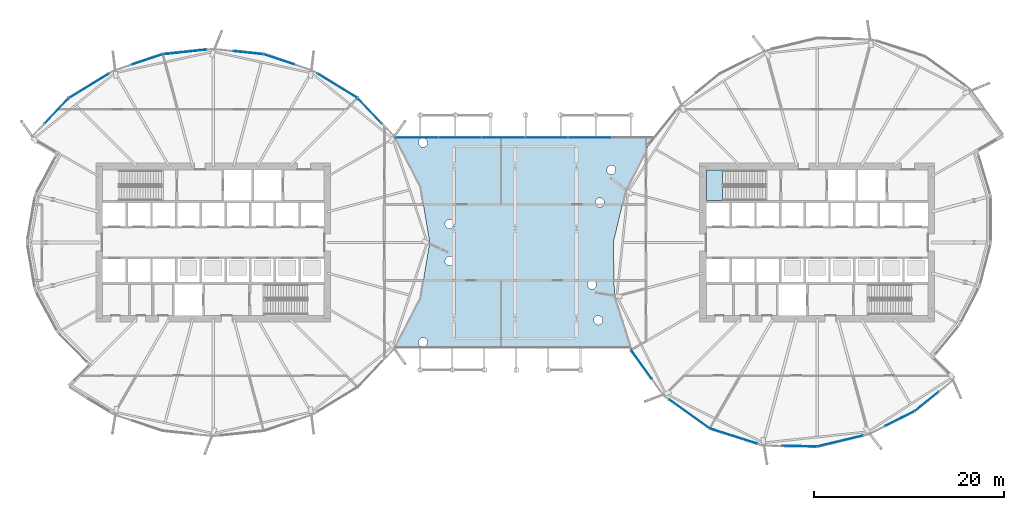
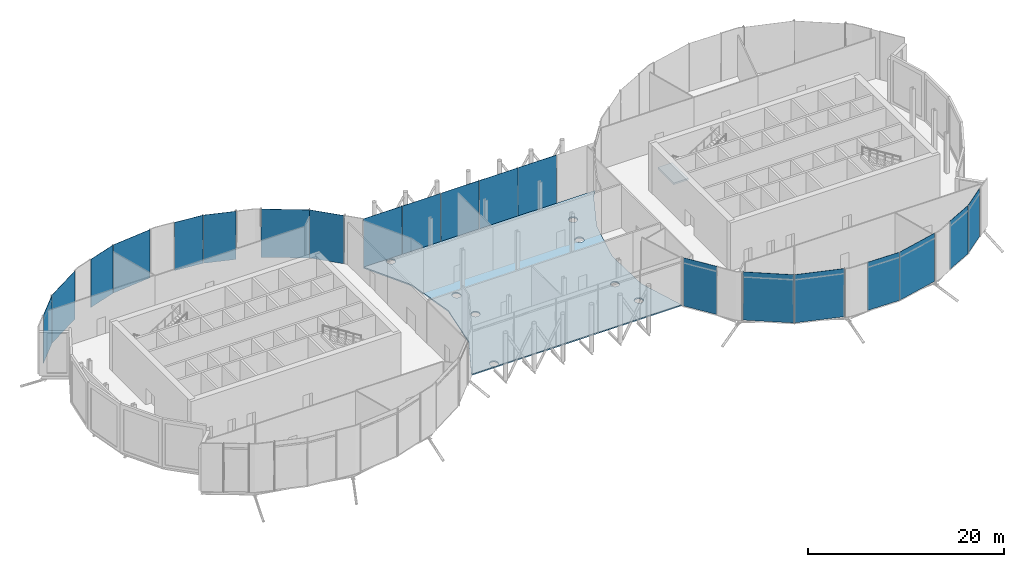
# One storey, part 17 of 38: 20 plates, 2 slabs, 4 elements without a shape of their own.
"""IFC4 building model written with IfcOpenShell, lengths in metres."""

import ifcopenshell
import ifcopenshell.guid

model = None  # the IFC model being written
_history = None  # IfcOwnerHistory: only IFC2X3 demands one
_inside = {}  # id of a spatial element -> (the spatial element, [elements in it])
_under = {}  # id of a project, library or spatial element -> (it, [spatial elements below it])
_declared = {}  # id of a project -> (the project, [libraries it declares])
_typed = {}  # id of a type object -> (the type object, [elements of that type])
_made_of = {}  # id of a material, layer set ... -> (it, [elements and type objects made of it])


def new_model(schema):
    """Start an empty IFC model of exactly this schema.

    Asked for "IFC4X3", IfcOpenShell would pick the latest addendum, in which some entities
    have other attributes; the version numbers below select the first issue.
    IFC2X3 requires an IfcOwnerHistory on every rooted entity: one is made here for all.
    """
    global model, _history
    if schema == "IFC4X3":
        model = ifcopenshell.file(schema_version=(4, 3, 0, 0))
    else:
        model = ifcopenshell.file(schema=schema)
    _inside.clear()
    _under.clear()
    _declared.clear()
    _typed.clear()
    _made_of.clear()
    _history = None
    if model.schema == "IFC2X3":
        org = make("IfcOrganization", Name="unknown")
        user = make(
            "IfcPersonAndOrganization",
            ThePerson=make("IfcPerson", FamilyName="unknown"),
            TheOrganization=org,
        )
        app = make(
            "IfcApplication",
            ApplicationDeveloper=org,
            Version="unknown",
            ApplicationFullName="unknown",
            ApplicationIdentifier="unknown",
        )
        _history = make(
            "IfcOwnerHistory",
            OwningUser=user,
            OwningApplication=app,
            ChangeAction="ADDED",
            CreationDate=0,
        )
    return model


def make(cls, **values):
    """One entity of the class cls with the attributes given. An attribute that is None is left unset."""
    return model.create_entity(
        cls, **{name: value for name, value in values.items() if value is not None}
    )


def rooted(cls, **values):
    """An entity with a GlobalId (a new one), such as an element, a storey or a relation."""
    return make(cls, GlobalId=ifcopenshell.guid.new(), OwnerHistory=_history, **values)


def si_unit(unit_type, name, prefix=None):
    """IfcSIUnit, for example si_unit("LENGTHUNIT", "METRE", prefix="MILLI")."""
    return make("IfcSIUnit", UnitType=unit_type, Prefix=prefix, Name=name)


def assignment(units):
    """IfcUnitAssignment: the units of a project."""
    return None if units is None else make("IfcUnitAssignment", Units=units)


def point(xyz):
    """IfcCartesianPoint."""
    return None if xyz is None else make("IfcCartesianPoint", Coordinates=xyz)


def direction(xyz):
    """IfcDirection."""
    return None if xyz is None else make("IfcDirection", DirectionRatios=xyz)


def frame(location, z_axis=None, x_axis=None):
    """IfcAxis2Placement3D, a coordinate frame: its origin and axes. An axis left out is left unset."""
    return make(
        "IfcAxis2Placement3D",
        Location=point(location),
        Axis=direction(z_axis),
        RefDirection=direction(x_axis),
    )


def frame_2d(location, x_axis=None):
    """IfcAxis2Placement2D, a coordinate frame in the plane: its origin and x axis."""
    return make(
        "IfcAxis2Placement2D", Location=point(location), RefDirection=direction(x_axis)
    )


def origin():
    """The frame at (0, 0, 0) with its axes left unset."""
    return frame((0.0, 0.0, 0.0))


def origin_2d():
    """The frame at (0, 0) in the plane with its x axis left unset."""
    return frame_2d((0.0, 0.0))


def place(relative_to, where):
    """IfcLocalPlacement: puts the frame where relative to a parent placement (None: the world)."""
    return make(
        "IfcLocalPlacement", PlacementRelTo=relative_to, RelativePlacement=where
    )


def context(
    kind, dimensions, precision=None, world=None, true_north=None, identifier=None
):
    """IfcGeometricRepresentationContext, for example the 3D "Model" context."""
    return make(
        "IfcGeometricRepresentationContext",
        ContextIdentifier=identifier,
        ContextType=kind,
        CoordinateSpaceDimension=dimensions,
        Precision=precision,
        WorldCoordinateSystem=world,
        TrueNorth=true_north,
    )


def subcontext(parent, identifier, kind, view, scale=None):
    """IfcGeometricRepresentationSubContext, for example "Body" below "Model"."""
    return make(
        "IfcGeometricRepresentationSubContext",
        ContextIdentifier=identifier,
        ContextType=kind,
        ParentContext=parent,
        TargetScale=scale,
        TargetView=view,
    )


def project(units=None, contexts=None):
    """IfcProject with its units and contexts."""
    return rooted(
        "IfcProject",
        Name="project",
        RepresentationContexts=contexts,
        UnitsInContext=assignment(units),
    )


def spatial(cls, under=None, at=None, **own):
    """A site, building, storey or space (cls), placed at a placement, below another one or the project."""
    s = rooted(cls, ObjectPlacement=at, **own)
    if under is not None:
        _under.setdefault(under.id(), (under, []))[1].append(s)
    return s


def polyline(points):
    """IfcPolyline through the points."""
    return make("IfcPolyline", Points=[point(p) for p in points])


def profile(cls, at=None, kind="AREA", **sizes):
    """A parametric profile (cls). Its sizes go by their IFC names, for example OverallWidth=200.0."""
    return make(cls, ProfileType=kind, Position=at, **sizes)


def rectangle(**sizes):
    """IfcRectangleProfileDef."""
    return profile("IfcRectangleProfileDef", **sizes)


def outline(outer, holes=None, kind="AREA"):
    """IfcArbitraryClosedProfileDef: a profile drawn as a closed curve; with holes, ...WithVoids."""
    if holes is None:
        return make("IfcArbitraryClosedProfileDef", ProfileType=kind, OuterCurve=outer)
    return make(
        "IfcArbitraryProfileDefWithVoids",
        ProfileType=kind,
        OuterCurve=outer,
        InnerCurves=holes,
    )


def extrude(swept, where, along, depth):
    """IfcExtrudedAreaSolid: the profile swept, set in the frame where, extruded along a direction by depth."""
    return make(
        "IfcExtrudedAreaSolid",
        SweptArea=swept,
        Position=where,
        ExtrudedDirection=direction(along),
        Depth=depth,
    )


def shape(context_of_items, identifier, shape_type, items):
    """IfcShapeRepresentation: the items that make up one representation, for example the "Body"."""
    return make(
        "IfcShapeRepresentation",
        ContextOfItems=context_of_items,
        RepresentationIdentifier=identifier,
        RepresentationType=shape_type,
        Items=items,
    )


def material(Name=None, Category=None):
    """IfcMaterial."""
    return make("IfcMaterial", Name=Name, Category=Category)


def layer(
    of_material, thickness, ventilated=None, Name=None, Category=None, Priority=None
):
    """IfcMaterialLayer: one layer of a wall or slab, of a material (None: an air gap)."""
    return make(
        "IfcMaterialLayer",
        Material=of_material,
        LayerThickness=thickness,
        IsVentilated=ventilated,
        Name=Name,
        Category=Category,
        Priority=Priority,
    )


def layer_set(layers, Name=None):
    """IfcMaterialLayerSet."""
    return make("IfcMaterialLayerSet", MaterialLayers=layers, LayerSetName=Name)


def made_of(thing, what):
    """Note that an element or type object is made of a material, layer set ...; save() writes the relation."""
    if what is not None:
        _made_of.setdefault(what.id(), (what, []))[1].append(thing)
    return thing


def type_object(cls, material=None, **own):
    """A type object (cls), such as IfcWallType, which elements share."""
    return made_of(rooted(cls, **own), material)


def element(
    cls,
    number,
    at=None,
    inside=None,
    cuts=None,
    type_object=None,
    material=None,
    context=None,
    identifier="Body",
    shape_type=None,
    held_by="IfcProductDefinitionShape",
    body=None,
    shapes=None,
    **own,
):
    """One element of the class cls, such as IfcWall. Its Tag is "e" and its number.

    at: its placement. inside: the storey or other place that contains it. cuts: it is an
    opening in that element (IfcRelVoidsElement). A single representation is given by context,
    identifier, shape_type and body (its items); several are given by shapes. held_by: the class
    of the entity that holds the representations. save() writes the other relations.
    """
    e = rooted(cls, Tag="e%d" % number, ObjectPlacement=at, **own)
    if body is not None:
        shapes = [shape(context, identifier, shape_type, body)]
    if shapes is not None:
        e.Representation = make(held_by, Representations=shapes)
    if inside is not None:
        _inside.setdefault(inside.id(), (inside, []))[1].append(e)
    if cuts is not None:
        rooted(
            "IfcRelVoidsElement", RelatingBuildingElement=cuts, RelatedOpeningElement=e
        )
    if type_object is not None:
        _typed.setdefault(type_object.id(), (type_object, []))[1].append(e)
    return made_of(e, material)


def aggregate(whole, parts):
    """IfcRelAggregates: a whole, such as a stair, and the parts it consists of."""
    return rooted("IfcRelAggregates", RelatingObject=whole, RelatedObjects=parts)


def save(model, path):
    """Write the relations noted so far, then the file.

    IfcRelAggregates (storeys below a building ...), IfcRelContainedInSpatialStructure (elements
    in a storey), IfcRelDefinesByType, IfcRelAssociatesMaterial and IfcRelDeclares: one each for
    every whole, place, type object, material and project.
    """
    for whole, parts in _under.values():
        aggregate(whole, parts)
    for where, things in _inside.values():
        rooted(
            "IfcRelContainedInSpatialStructure",
            RelatedElements=things,
            RelatingStructure=where,
        )
    for kind, things in _typed.values():
        rooted("IfcRelDefinesByType", RelatedObjects=things, RelatingType=kind)
    for what, things in _made_of.values():
        rooted("IfcRelAssociatesMaterial", RelatedObjects=things, RelatingMaterial=what)
    for by, libraries in _declared.values():
        rooted("IfcRelDeclares", RelatingContext=by, RelatedDefinitions=libraries)
    model.write(path)


model = new_model("IFC4")

# Units and contexts
model_context = context("Model", 3, precision=1e-05, world=origin(), true_north=direction((0.0, 1.0)))
body_context = subcontext(model_context, "Body", "Model", "MODEL_VIEW")
ifc_project = project(units=[si_unit("LENGTHUNIT", "METRE"), si_unit("AREAUNIT", "SQUARE_METRE"), si_unit("VOLUMEUNIT", "CUBIC_METRE"), si_unit("PLANEANGLEUNIT", "RADIAN"), si_unit("MASSUNIT", "GRAM", prefix="KILO")], contexts=[model_context])

# Site, building, storey
site_placement = place(None, origin())
site = spatial("IfcSite", under=ifc_project, at=site_placement, CompositionType="ELEMENT")
building_placement = place(site_placement, origin())
building = spatial("IfcBuilding", under=site, at=building_placement, Name="Rimbun Link Towers", CompositionType="ELEMENT")
storey_placement = place(building_placement, frame((0.0, 0.0, 133.199951171875)))
storey = spatial("IfcBuildingStorey", under=building, at=storey_placement, Name="L32", CompositionType="ELEMENT", Elevation=133.199951171875)

# Curtain wall, plate
ifc_material_1 = material(Name="Aluminium 6063-T6 and low-iron glass", Category="aluminium")
curtain_wall_type = type_object("IfcCurtainWallType", Name="CW5 full height lobby wall", PredefinedType="NOTDEFINED", material=ifc_material_1)
curtain_wall_1_placement = place(storey_placement, origin())
curtain_wall_1 = element("IfcCurtainWall", 1, at=curtain_wall_1_placement, inside=storey, type_object=curtain_wall_type, Name="CW5 L32 LB", PredefinedType="NOTDEFINED")
ifc_material_2 = material(Name="Aluminium cladding, insulated panel", Category="aluminium")
ifc_layer_1 = layer(ifc_material_2, 0.031982421875)
ifc_layer_set_1 = layer_set([ifc_layer_1], Name="CW5 insulated panel Aluminium cladding 32")
plate_type_1 = type_object("IfcPlateType", Name="CW5 insulated panel Aluminium cladding 32", PredefinedType="CURTAIN_PANEL", material=ifc_layer_set_1)
plate_1_placement = place(storey_placement, frame((-10.35302734375, 11.01611328125, 0.0), z_axis=(0.0, 0.0, 1.0), x_axis=(1.0, 0.0, 0.0)))
plate_1 = element("IfcPlate", 2, at=plate_1_placement, type_object=plate_type_1, Name="CW5 insulated panel", PredefinedType="CURTAIN_PANEL", context=body_context, shape_type="SweptSolid", body=[
    extrude(rectangle(XDim=4.508056640625, YDim=0.031982421875, at=origin_2d()), origin(), (0.0, 0.0, 1.0), 6.0),
])

# Curtain wall, plates
curtain_wall_2_placement = place(storey_placement, origin())
curtain_wall_2 = element("IfcCurtainWall", 3, at=curtain_wall_2_placement, inside=storey, type_object=curtain_wall_type, Name="CW5 L32 T1", PredefinedType="NOTDEFINED")
ifc_material_3 = material(Name="Low-iron glass, laminated low-e unit", Category="glass")
ifc_layer_2 = layer(ifc_material_3, 0.031982421875)
ifc_layer_set_2 = layer_set([ifc_layer_2], Name="CW5 panel Low-iron glass 32")
plate_type_2 = type_object("IfcPlateType", Name="CW5 panel Low-iron glass 32", PredefinedType="CURTAIN_PANEL", material=ifc_layer_set_2)
plate_2_placement = place(storey_placement, frame((-15.300048828125, 13.82568359375, 0.0), z_axis=(0.0, 0.0, 1.0), x_axis=(0.692041109252, -0.721858090698, 0.0)))
plate_2 = element("IfcPlate", 4, at=plate_2_placement, type_object=plate_type_2, Name="CW5 panel", PredefinedType="CURTAIN_PANEL", context=body_context, shape_type="SweptSolid", body=[
    extrude(rectangle(XDim=3.671630859375, YDim=0.031982421875, at=origin_2d()), origin(), (0.0, 0.0, 1.0), 6.0),
])
plate_3_placement = place(storey_placement, frame((-18.696044921875, 16.46240234375, 0.0), z_axis=(0.0, 0.0, 1.0), x_axis=(0.852194346217, -0.523225378089, 0.0)))
plate_3 = element("IfcPlate", 5, at=plate_3_placement, type_object=plate_type_2, Name="CW5 panel", PredefinedType="CURTAIN_PANEL", context=body_context, shape_type="SweptSolid", body=[
    extrude(rectangle(XDim=4.908935546875, YDim=0.031982421875, at=origin_2d()), origin(), (0.0, 0.0, 1.0), 6.0),
])
plate_4_placement = place(storey_placement, frame((-24.810791015625, 19.229736328125, 0.0), z_axis=(0.0, 0.0, 1.0), x_axis=(0.949234953763, -0.314567961741, 0.0)))
plate_4 = element("IfcPlate", 6, at=plate_4_placement, type_object=plate_type_2, Name="CW5 panel", PredefinedType="CURTAIN_PANEL", context=body_context, shape_type="SweptSolid", body=[
    extrude(rectangle(XDim=3.415771484375, YDim=0.031982421875, at=origin_2d()), origin(), (0.0, 0.0, 1.0), 6.0),
])
plate_5_placement = place(storey_placement, frame((-28.05712890625, 19.942626953125, 0.0), z_axis=(0.0, 0.0, 1.0), x_axis=(0.994499069305, -0.104745411125, 0.0)))
plate_5 = element("IfcPlate", 7, at=plate_5_placement, type_object=plate_type_2, Name="CW5 panel", PredefinedType="CURTAIN_PANEL", context=body_context, shape_type="SweptSolid", body=[
    extrude(rectangle(XDim=3.183349609375, YDim=0.031982421875, at=origin_2d()), origin(), (0.0, 0.0, 1.0), 6.0),
])
plate_6_placement = place(storey_placement, frame((-34.721923828125, 20.0185546875, 0.0), z_axis=(0.0, 0.0, 1.0), x_axis=(0.994499069305, 0.104745411125, 0.0)))
plate_6 = element("IfcPlate", 8, at=plate_6_placement, type_object=plate_type_2, Name="CW5 panel", PredefinedType="CURTAIN_PANEL", context=body_context, shape_type="SweptSolid", body=[
    extrude(rectangle(XDim=4.63330078125, YDim=0.031982421875, at=origin_2d()), origin(), (0.0, 0.0, 1.0), 6.0),
])
plate_7_placement = place(storey_placement, frame((-38.689208984375, 19.229736328125, 0.0), z_axis=(0.0, 0.0, 1.0), x_axis=(0.949234953763, 0.314567961741, 0.0)))
plate_7 = element("IfcPlate", 9, at=plate_7_placement, type_object=plate_type_2, Name="CW5 panel", PredefinedType="CURTAIN_PANEL", context=body_context, shape_type="SweptSolid", body=[
    extrude(rectangle(XDim=3.415771484375, YDim=0.031982421875, at=origin_2d()), origin(), (0.0, 0.0, 1.0), 6.0),
])
plate_8_placement = place(storey_placement, frame((-44.803955078125, 16.46240234375, 0.0), z_axis=(0.0, 0.0, 1.0), x_axis=(0.852194346217, 0.523225378089, 0.0)))
plate_8 = element("IfcPlate", 10, at=plate_8_placement, type_object=plate_type_2, Name="CW5 panel", PredefinedType="CURTAIN_PANEL", context=body_context, shape_type="SweptSolid", body=[
    extrude(rectangle(XDim=4.908935546875, YDim=0.031982421875, at=origin_2d()), origin(), (0.0, 0.0, 1.0), 6.0),
])
plate_9_placement = place(storey_placement, frame((-48.199951171875, 13.82568359375, 0.0), z_axis=(0.0, 0.0, 1.0), x_axis=(0.692041109252, 0.721858090698, 0.0)))
plate_9 = element("IfcPlate", 11, at=plate_9_placement, type_object=plate_type_2, Name="CW5 panel", PredefinedType="CURTAIN_PANEL", context=body_context, shape_type="SweptSolid", body=[
    extrude(rectangle(XDim=3.671630859375, YDim=0.031982421875, at=origin_2d()), origin(), (0.0, 0.0, 1.0), 6.0),
])
aggregate(curtain_wall_2, [plate_2, plate_3, plate_4, plate_5, plate_6, plate_7, plate_8, plate_9])

curtain_wall_3_placement = place(storey_placement, origin())
curtain_wall_3 = element("IfcCurtainWall", 12, at=curtain_wall_3_placement, inside=storey, type_object=curtain_wall_type, Name="CW5 L32 T2", PredefinedType="NOTDEFINED")
plate_10_placement = place(storey_placement, frame((13.296142578125, -12.821044921875, 0.0), z_axis=(0.0, 0.0, 1.0), x_axis=(-0.58300948996, 0.81246534364, 0.0)))
plate_10 = element("IfcPlate", 13, at=plate_10_placement, type_object=plate_type_2, Name="CW5 panel", PredefinedType="CURTAIN_PANEL", context=body_context, shape_type="SweptSolid", body=[
    extrude(rectangle(XDim=3.72802734375, YDim=0.031982421875, at=origin_2d()), origin(), (0.0, 0.0, 1.0), 6.0),
])
plate_11_placement = place(storey_placement, frame((18.319580078125, -18.0166015625, 0.0), z_axis=(0.0, 0.0, 1.0), x_axis=(-0.81246534364, 0.58300948996, 0.0)))
plate_11 = element("IfcPlate", 14, at=plate_11_placement, type_object=plate_type_2, Name="CW5 panel", PredefinedType="CURTAIN_PANEL", context=body_context, shape_type="SweptSolid", body=[
    extrude(rectangle(XDim=5.22802734375, YDim=0.031982421875, at=origin_2d()), origin(), (0.0, 0.0, 1.0), 6.0),
])
plate_12_placement = place(storey_placement, frame((22.963623046875, -20.349365234375, 0.0), z_axis=(0.0, 0.0, 1.0), x_axis=(-0.952971600555, 0.303059612182, 0.0)))
plate_12 = element("IfcPlate", 15, at=plate_12_placement, type_object=plate_type_2, Name="CW5 panel", PredefinedType="CURTAIN_PANEL", context=body_context, shape_type="SweptSolid", body=[
    extrude(rectangle(XDim=5.205810546875, YDim=0.031982421875, at=origin_2d()), origin(), (0.0, 0.0, 1.0), 6.0),
])
plate_13_placement = place(storey_placement, frame((29.894287109375, -21.408203125, 0.0), z_axis=(0.0, 0.0, 1.0), x_axis=(-0.999778152734, 0.021062889527, 0.0)))
plate_13 = element("IfcPlate", 16, at=plate_13_placement, type_object=plate_type_2, Name="CW5 panel", PredefinedType="CURTAIN_PANEL", context=body_context, shape_type="SweptSolid", body=[
    extrude(rectangle(XDim=3.67138671875, YDim=0.031982421875, at=origin_2d()), origin(), (0.0, 0.0, 1.0), 6.0),
])
plate_14_placement = place(storey_placement, frame((34.160400390625, -20.871337890625, 0.0), z_axis=(0.0, 0.0, 1.0), x_axis=(-0.972575435448, -0.232587665973, 0.0)))
plate_14 = element("IfcPlate", 17, at=plate_14_placement, type_object=plate_type_2, Name="CW5 panel", PredefinedType="CURTAIN_PANEL", context=body_context, shape_type="SweptSolid", body=[
    extrude(rectangle(XDim=4.908935546875, YDim=0.031982421875, at=origin_2d()), origin(), (0.0, 0.0, 1.0), 6.0),
])
plate_15_placement = place(storey_placement, frame((40.440673828125, -18.50439453125, 0.0), z_axis=(0.0, 0.0, 1.0), x_axis=(-0.893641464981, -0.448781608432, 0.0)))
plate_15 = element("IfcPlate", 18, at=plate_15_placement, type_object=plate_type_2, Name="CW5 panel", PredefinedType="CURTAIN_PANEL", context=body_context, shape_type="SweptSolid", body=[
    extrude(rectangle(XDim=3.415771484375, YDim=0.031982421875, at=origin_2d()), origin(), (0.0, 0.0, 1.0), 6.0),
])
plate_16_placement = place(storey_placement, frame((43.240234375, -16.712890625, 0.0), z_axis=(0.0, 0.0, 1.0), x_axis=(-0.777276803841, -0.629158779809, 0.0)))
plate_16 = element("IfcPlate", 19, at=plate_16_placement, type_object=plate_type_2, Name="CW5 panel", PredefinedType="CURTAIN_PANEL", context=body_context, shape_type="SweptSolid", body=[
    extrude(rectangle(XDim=3.183349609375, YDim=0.031982421875, at=origin_2d()), origin(), (0.0, 0.0, 1.0), 6.0),
])
aggregate(curtain_wall_3, [plate_10, plate_11, plate_12, plate_13, plate_14, plate_15, plate_16])

# Plate
plate_17_placement = place(storey_placement, frame((-5.80517578125, 11.01611328125, 0.0), z_axis=(0.0, 0.0, 1.0), x_axis=(1.0, 0.0, 0.0)))
plate_17 = element("IfcPlate", 20, at=plate_17_placement, type_object=plate_type_2, Name="CW5 panel", PredefinedType="CURTAIN_PANEL", context=body_context, shape_type="SweptSolid", body=[
    extrude(rectangle(XDim=4.508056640625, YDim=0.031982421875, at=origin_2d()), origin(), (0.0, 0.0, 1.0), 6.0),
])

plate_18_placement = place(storey_placement, frame((-1.257080078125, 11.01611328125, 0.0), z_axis=(0.0, 0.0, 1.0), x_axis=(1.0, 0.0, 0.0)))
plate_18 = element("IfcPlate", 21, at=plate_18_placement, type_object=plate_type_2, Name="CW5 panel", PredefinedType="CURTAIN_PANEL", context=body_context, shape_type="SweptSolid", body=[
    extrude(rectangle(XDim=4.508056640625, YDim=0.031982421875, at=origin_2d()), origin(), (0.0, 0.0, 1.0), 6.0),
])

plate_19_placement = place(storey_placement, frame((3.290771484375, 11.01611328125, 0.0), z_axis=(0.0, 0.0, 1.0), x_axis=(1.0, 0.0, 0.0)))
plate_19 = element("IfcPlate", 22, at=plate_19_placement, type_object=plate_type_2, Name="CW5 panel", PredefinedType="CURTAIN_PANEL", context=body_context, shape_type="SweptSolid", body=[
    extrude(rectangle(XDim=4.508056640625, YDim=0.031982421875, at=origin_2d()), origin(), (0.0, 0.0, 1.0), 6.0),
])

plate_20_placement = place(storey_placement, frame((7.8388671875, 11.01611328125, 0.0), z_axis=(0.0, 0.0, 1.0), x_axis=(1.0, 0.0, 0.0)))
plate_20 = element("IfcPlate", 23, at=plate_20_placement, type_object=plate_type_2, Name="CW5 panel", PredefinedType="CURTAIN_PANEL", context=body_context, shape_type="SweptSolid", body=[
    extrude(rectangle(XDim=4.508056640625, YDim=0.031982421875, at=origin_2d()), origin(), (0.0, 0.0, 1.0), 6.0),
])

aggregate(curtain_wall_1, [plate_1, plate_17, plate_18, plate_19, plate_20])

# Slab
ifc_material_4 = material(Name="Concrete C40/50", Category="concrete")
ifc_layer_3 = layer(ifc_material_4, 0.159912109375)
ifc_layer_set_3 = layer_set([ifc_layer_3], Name="Link composite floor slab")
slab_type_1 = type_object("IfcSlabType", Name="Link composite floor slab", PredefinedType="FLOOR", material=ifc_layer_set_3)
slab_1_placement = place(storey_placement, frame((0.0, 0.0, -0.159912109375)))
element("IfcSlab", 24, at=slab_1_placement, inside=storey, type_object=slab_type_1, Name="Link floor slab L32", PredefinedType="FLOOR", context=body_context, shape_type="SweptSolid", body=[
    extrude(outline(polyline([(-9.956787109375, -5.839599609375), (-8.99658203125, 0.0), (-9.956787109375, 5.839599609375), (-12.626953125, 11.0), (14.66064453125, 11.0), (14.035400390625, 10.2275390625), (11.609375, 5.396728515625), (10.31884765625, 0.0), (10.439208984375, -5.710205078125), (12.121337890625, -11.0), (-12.626953125, -11.0), (-9.956787109375, -5.839599609375)]), holes=[polyline([(-9.952880859375, -10.107177734375), (-9.9873046875, -10.1357421875), (-10.018798828125, -10.16748046875), (-10.047119140625, -10.2021484375), (-10.07177734375, -10.239501953125), (-10.0927734375, -10.27880859375), (-10.114990234375, -10.326416015625), (-10.132080078125, -10.367919921875), (-10.144775390625, -10.41064453125), (-10.1533203125, -10.45458984375), (-10.15771484375, -10.4990234375), (-10.157470703125, -10.543701171875), (-10.15283203125, -10.58837890625), (-10.143798828125, -10.632080078125), (-10.130859375, -10.6748046875), (-10.113525390625, -10.716064453125), (-10.09228515625, -10.755615234375), (-10.0673828125, -10.79248046875), (-10.038818359375, -10.826904296875), (-10.007080078125, -10.8583984375), (-9.972412109375, -10.88671875), (-9.935302734375, -10.911376953125), (-9.8955078125, -10.932373046875), (-9.854248046875, -10.94921875), (-9.811279296875, -10.962158203125), (-9.767578125, -10.970703125), (-9.722900390625, -10.974853515625), (-9.67822265625, -10.974609375), (-9.6337890625, -10.97021484375), (-9.590087890625, -10.961181640625), (-9.54736328125, -10.947998046875), (-9.506103515625, -10.930908203125), (-9.466796875, -10.90966796875), (-9.4296875, -10.884765625), (-9.395263671875, -10.856201171875), (-9.36376953125, -10.824462890625), (-9.33544921875, -10.789794921875), (-9.310791015625, -10.75244140625), (-9.289794921875, -10.712890625), (-9.267578125, -10.665283203125), (-9.25048828125, -10.623779296875), (-9.23779296875, -10.5810546875), (-9.229248046875, -10.537109375), (-9.22509765625, -10.49267578125), (-9.22509765625, -10.447998046875), (-9.229736328125, -10.403564453125), (-9.238525390625, -10.359619140625), (-9.251708984375, -10.31689453125), (-9.26904296875, -10.275634765625), (-9.290283203125, -10.236328125), (-9.315185546875, -10.19921875), (-9.34375, -10.164794921875), (-9.37548828125, -10.13330078125), (-9.41015625, -10.10498046875), (-9.447509765625, -10.080322265625), (-9.48681640625, -10.0595703125), (-9.5283203125, -10.04248046875), (-9.571044921875, -10.02978515625), (-9.614990234375, -10.021240234375), (-9.659423828125, -10.01708984375), (-9.7041015625, -10.01708984375), (-9.748779296875, -10.021728515625), (-9.79248046875, -10.030517578125), (-9.835205078125, -10.043701171875), (-9.87646484375, -10.06103515625), (-9.915771484375, -10.082275390625), (-9.952880859375, -10.107177734375)]), polyline([(-6.563720703125, -2.25341796875), (-6.537109375, -2.21728515625), (-6.514404296875, -2.178955078125), (-6.495361328125, -2.138427734375), (-6.48046875, -2.09619140625), (-6.469970703125, -2.052734375), (-6.459716796875, -2.00048828125), (-6.453369140625, -1.9560546875), (-6.451416015625, -1.91162109375), (-6.45361328125, -1.86669921875), (-6.46044921875, -1.822509765625), (-6.471435546875, -1.779296875), (-6.48681640625, -1.7373046875), (-6.506103515625, -1.697021484375), (-6.529296875, -1.65869140625), (-6.555908203125, -1.622802734375), (-6.586181640625, -1.58984375), (-6.619384765625, -1.56005859375), (-6.655517578125, -1.533447265625), (-6.69384765625, -1.5107421875), (-6.734375, -1.49169921875), (-6.776611328125, -1.476806640625), (-6.820068359375, -1.46630859375), (-6.8642578125, -1.459716796875), (-6.908935546875, -1.457763671875), (-6.95361328125, -1.460205078125), (-6.997802734375, -1.467041015625), (-7.041015625, -1.47802734375), (-7.0830078125, -1.493408203125), (-7.123291015625, -1.5126953125), (-7.16162109375, -1.53564453125), (-7.197509765625, -1.5625), (-7.23046875, -1.5927734375), (-7.26025390625, -1.6259765625), (-7.286865234375, -1.662109375), (-7.3095703125, -1.700439453125), (-7.32861328125, -1.740966796875), (-7.343505859375, -1.783203125), (-7.35400390625, -1.826416015625), (-7.3642578125, -1.87890625), (-7.37060546875, -1.923095703125), (-7.372802734375, -1.9677734375), (-7.370361328125, -2.012451171875), (-7.363525390625, -2.056640625), (-7.3525390625, -2.10009765625), (-7.33740234375, -2.14208984375), (-7.318115234375, -2.182373046875), (-7.294921875, -2.220703125), (-7.26806640625, -2.25634765625), (-7.23779296875, -2.289306640625), (-7.20458984375, -2.3193359375), (-7.168701171875, -2.345703125), (-7.130126953125, -2.36865234375), (-7.089599609375, -2.387451171875), (-7.047607421875, -2.40234375), (-7.00390625, -2.4130859375), (-6.959716796875, -2.41943359375), (-6.9150390625, -2.42138671875), (-6.87060546875, -2.419189453125), (-6.826416015625, -2.412353515625), (-6.782958984375, -2.4013671875), (-6.740966796875, -2.385986328125), (-6.70068359375, -2.36669921875), (-6.662353515625, -2.343505859375), (-6.62646484375, -2.31689453125), (-6.593505859375, -2.28662109375), (-6.563720703125, -2.25341796875)]), polyline([(-7.363525390625, 2.056640625), (-7.370361328125, 2.012451171875), (-7.372802734375, 1.9677734375), (-7.37060546875, 1.923095703125), (-7.3642578125, 1.87890625), (-7.35400390625, 1.826416015625), (-7.343505859375, 1.783203125), (-7.32861328125, 1.740966796875), (-7.3095703125, 1.700439453125), (-7.286865234375, 1.662109375), (-7.26025390625, 1.6259765625), (-7.23046875, 1.5927734375), (-7.197509765625, 1.5625), (-7.16162109375, 1.53564453125), (-7.123291015625, 1.5126953125), (-7.0830078125, 1.493408203125), (-7.041015625, 1.47802734375), (-6.997802734375, 1.467041015625), (-6.95361328125, 1.460205078125), (-6.908935546875, 1.457763671875), (-6.8642578125, 1.459716796875), (-6.820068359375, 1.46630859375), (-6.776611328125, 1.476806640625), (-6.734375, 1.49169921875), (-6.69384765625, 1.5107421875), (-6.655517578125, 1.533447265625), (-6.619384765625, 1.56005859375), (-6.586181640625, 1.58984375), (-6.555908203125, 1.622802734375), (-6.529296875, 1.65869140625), (-6.506103515625, 1.697021484375), (-6.48681640625, 1.7373046875), (-6.471435546875, 1.779296875), (-6.46044921875, 1.822509765625), (-6.45361328125, 1.86669921875), (-6.451416015625, 1.91162109375), (-6.453369140625, 1.9560546875), (-6.459716796875, 2.00048828125), (-6.469970703125, 2.052734375), (-6.48046875, 2.09619140625), (-6.495361328125, 2.138427734375), (-6.514404296875, 2.178955078125), (-6.537109375, 2.21728515625), (-6.563720703125, 2.25341796875), (-6.593505859375, 2.28662109375), (-6.62646484375, 2.31689453125), (-6.662353515625, 2.343505859375), (-6.70068359375, 2.36669921875), (-6.740966796875, 2.385986328125), (-6.782958984375, 2.4013671875), (-6.826416015625, 2.412353515625), (-6.87060546875, 2.419189453125), (-6.9150390625, 2.42138671875), (-6.959716796875, 2.41943359375), (-7.00390625, 2.4130859375), (-7.047607421875, 2.40234375), (-7.089599609375, 2.387451171875), (-7.130126953125, 2.36865234375), (-7.168701171875, 2.345703125), (-7.20458984375, 2.3193359375), (-7.23779296875, 2.289306640625), (-7.26806640625, 2.25634765625), (-7.294921875, 2.220703125), (-7.318115234375, 2.182373046875), (-7.33740234375, 2.14208984375), (-7.3525390625, 2.10009765625), (-7.363525390625, 2.056640625)]), polyline([(-9.22509765625, 10.49267578125), (-9.229248046875, 10.537109375), (-9.23779296875, 10.5810546875), (-9.25048828125, 10.623779296875), (-9.267578125, 10.665283203125), (-9.289794921875, 10.712890625), (-9.310791015625, 10.75244140625), (-9.33544921875, 10.789794921875), (-9.36376953125, 10.824462890625), (-9.395263671875, 10.856201171875), (-9.4296875, 10.884765625), (-9.466796875, 10.90966796875), (-9.506103515625, 10.930908203125), (-9.54736328125, 10.947998046875), (-9.590087890625, 10.961181640625), (-9.6337890625, 10.97021484375), (-9.67822265625, 10.974609375), (-9.722900390625, 10.974853515625), (-9.767578125, 10.970703125), (-9.811279296875, 10.962158203125), (-9.854248046875, 10.94921875), (-9.8955078125, 10.932373046875), (-9.935302734375, 10.911376953125), (-9.972412109375, 10.88671875), (-10.007080078125, 10.8583984375), (-10.038818359375, 10.826904296875), (-10.0673828125, 10.79248046875), (-10.09228515625, 10.755615234375), (-10.113525390625, 10.716064453125), (-10.130859375, 10.6748046875), (-10.143798828125, 10.632080078125), (-10.15283203125, 10.58837890625), (-10.157470703125, 10.543701171875), (-10.15771484375, 10.4990234375), (-10.1533203125, 10.45458984375), (-10.144775390625, 10.41064453125), (-10.132080078125, 10.367919921875), (-10.114990234375, 10.326416015625), (-10.0927734375, 10.27880859375), (-10.07177734375, 10.239501953125), (-10.047119140625, 10.2021484375), (-10.018798828125, 10.16748046875), (-9.9873046875, 10.1357421875), (-9.952880859375, 10.107177734375), (-9.915771484375, 10.082275390625), (-9.87646484375, 10.06103515625), (-9.835205078125, 10.043701171875), (-9.79248046875, 10.030517578125), (-9.748779296875, 10.021728515625), (-9.7041015625, 10.01708984375), (-9.659423828125, 10.01708984375), (-9.614990234375, 10.021240234375), (-9.571044921875, 10.02978515625), (-9.5283203125, 10.04248046875), (-9.48681640625, 10.0595703125), (-9.447509765625, 10.080322265625), (-9.41015625, 10.10498046875), (-9.37548828125, 10.13330078125), (-9.34375, 10.164794921875), (-9.315185546875, 10.19921875), (-9.290283203125, 10.236328125), (-9.26904296875, 10.275634765625), (-9.251708984375, 10.31689453125), (-9.238525390625, 10.359619140625), (-9.229736328125, 10.403564453125), (-9.22509765625, 10.447998046875), (-9.22509765625, 10.49267578125)]), polyline([(9.190185546875, -8.26611328125), (9.194580078125, -8.221435546875), (9.1943359375, -8.1767578125), (9.189697265625, -8.13232421875), (9.180908203125, -8.08837890625), (9.167724609375, -8.0458984375), (9.14990234375, -7.996337890625), (9.132568359375, -7.955078125), (9.111328125, -7.915771484375), (9.086181640625, -7.878662109375), (9.057861328125, -7.84423828125), (9.026123046875, -7.812744140625), (8.991455078125, -7.784423828125), (8.9541015625, -7.759765625), (8.91455078125, -7.73876953125), (8.873291015625, -7.721923828125), (8.830322265625, -7.708984375), (8.78662109375, -7.700439453125), (8.741943359375, -7.6962890625), (8.697265625, -7.696533203125), (8.65283203125, -7.700927734375), (8.60888671875, -7.7099609375), (8.56640625, -7.722900390625), (8.525146484375, -7.740234375), (8.485595703125, -7.761474609375), (8.448486328125, -7.78662109375), (8.414306640625, -7.81494140625), (8.3828125, -7.8466796875), (8.3544921875, -7.88134765625), (8.329833984375, -7.918701171875), (8.308837890625, -7.958251953125), (8.2919921875, -7.99951171875), (8.279052734375, -8.04248046875), (8.2705078125, -8.086181640625), (8.266357421875, -8.130859375), (8.2666015625, -8.175537109375), (8.27099609375, -8.219970703125), (8.27978515625, -8.263916015625), (8.293212890625, -8.306640625), (8.31103515625, -8.35595703125), (8.328125, -8.397216796875), (8.349609375, -8.4365234375), (8.37451171875, -8.4736328125), (8.40283203125, -8.50830078125), (8.434814453125, -8.53955078125), (8.469482421875, -8.56787109375), (8.506591796875, -8.592529296875), (8.546142578125, -8.613525390625), (8.58740234375, -8.63037109375), (8.63037109375, -8.643310546875), (8.67431640625, -8.65185546875), (8.71875, -8.656005859375), (8.763427734375, -8.656005859375), (8.807861328125, -8.6513671875), (8.851806640625, -8.642333984375), (8.89453125, -8.62939453125), (8.935791015625, -8.612060546875), (8.97509765625, -8.5908203125), (9.01220703125, -8.56591796875), (9.046630859375, -8.537353515625), (9.078125, -8.505615234375), (9.106201171875, -8.470947265625), (9.131103515625, -8.43359375), (9.15185546875, -8.39404296875), (9.1689453125, -8.352783203125), (9.181640625, -8.309814453125), (9.190185546875, -8.26611328125)]), polyline([(7.666015625, -4.188232421875), (7.64697265625, -4.228759765625), (7.6318359375, -4.270751953125), (7.62109375, -4.314208984375), (7.614501953125, -4.3583984375), (7.6123046875, -4.403076171875), (7.6123046875, -4.454833984375), (7.614501953125, -4.49951171875), (7.62109375, -4.543701171875), (7.6318359375, -4.587158203125), (7.64697265625, -4.629150390625), (7.666015625, -4.669677734375), (7.68896484375, -4.7080078125), (7.715576171875, -4.743896484375), (7.74560546875, -4.777099609375), (7.77880859375, -4.80712890625), (7.814697265625, -4.833740234375), (7.85302734375, -4.856689453125), (7.8935546875, -4.875732421875), (7.935546875, -4.890869140625), (7.97900390625, -4.90185546875), (8.023193359375, -4.908203125), (8.06787109375, -4.910400390625), (8.112548828125, -4.908447265625), (8.15673828125, -4.90185546875), (8.2001953125, -4.890869140625), (8.2421875, -4.8759765625), (8.28271484375, -4.856689453125), (8.32080078125, -4.833740234375), (8.356689453125, -4.80712890625), (8.389892578125, -4.777099609375), (8.419921875, -4.743896484375), (8.44677734375, -4.7080078125), (8.469482421875, -4.669921875), (8.48876953125, -4.62939453125), (8.50390625, -4.58740234375), (8.5146484375, -4.5439453125), (8.521240234375, -4.499755859375), (8.5234375, -4.455078125), (8.5234375, -4.4033203125), (8.521240234375, -4.358642578125), (8.514892578125, -4.314208984375), (8.50390625, -4.27099609375), (8.489013671875, -4.22900390625), (8.4697265625, -4.1884765625), (8.44677734375, -4.150146484375), (8.420166015625, -4.1142578125), (8.39013671875, -4.0810546875), (8.35693359375, -4.051025390625), (8.321044921875, -4.0244140625), (8.28271484375, -4.00146484375), (8.2421875, -3.982421875), (8.2001953125, -3.96728515625), (8.156982421875, -3.956298828125), (8.112548828125, -3.94970703125), (8.068115234375, -3.947509765625), (8.023193359375, -3.94970703125), (7.97900390625, -3.956298828125), (7.935791015625, -3.967041015625), (7.8935546875, -3.982177734375), (7.853271484375, -4.001220703125), (7.81494140625, -4.0244140625), (7.77880859375, -4.05078125), (7.745849609375, -4.080810546875), (7.7158203125, -4.114013671875), (7.689208984375, -4.14990234375), (7.666015625, -4.188232421875)]), polyline([(9.26708984375, 3.931640625), (9.2900390625, 3.969970703125), (9.30908203125, 4.010498046875), (9.323974609375, 4.052490234375), (9.334716796875, 4.095947265625), (9.34423828125, 4.145263671875), (9.3505859375, 4.189453125), (9.352783203125, 4.234130859375), (9.350341796875, 4.27880859375), (9.34375, 4.322998046875), (9.332763671875, 4.3662109375), (9.3173828125, 4.408447265625), (9.29833984375, 4.44873046875), (9.275146484375, 4.487060546875), (9.248291015625, 4.52294921875), (9.21826171875, 4.555908203125), (9.18505859375, 4.585693359375), (9.149169921875, 4.6123046875), (9.110595703125, 4.63525390625), (9.0703125, 4.654296875), (9.028076171875, 4.669189453125), (8.984619140625, 4.679931640625), (8.9404296875, 4.686279296875), (8.895751953125, 4.688232421875), (8.85107421875, 4.68603515625), (8.806884765625, 4.67919921875), (8.763427734375, 4.668212890625), (8.721435546875, 4.653076171875), (8.68115234375, 4.6337890625), (8.642822265625, 4.61083984375), (8.60693359375, 4.583984375), (8.573974609375, 4.553955078125), (8.544189453125, 4.520751953125), (8.517578125, 4.484619140625), (8.49462890625, 4.4462890625), (8.4755859375, 4.40576171875), (8.460693359375, 4.363525390625), (8.449951171875, 4.3203125), (8.4404296875, 4.27099609375), (8.43408203125, 4.226806640625), (8.431884765625, 4.18212890625), (8.43408203125, 4.137451171875), (8.44091796875, 4.09326171875), (8.451904296875, 4.0498046875), (8.467041015625, 4.0078125), (8.486328125, 3.967529296875), (8.509521484375, 3.92919921875), (8.5361328125, 3.893310546875), (8.56640625, 3.8603515625), (8.599609375, 3.83056640625), (8.635498046875, 3.803955078125), (8.674072265625, 3.781005859375), (8.714599609375, 3.76220703125), (8.756591796875, 3.7470703125), (8.800048828125, 3.736328125), (8.84423828125, 3.72998046875), (8.888916015625, 3.727783203125), (8.93359375, 3.730224609375), (8.977783203125, 3.737060546875), (9.02099609375, 3.748046875), (9.063232421875, 3.76318359375), (9.103515625, 3.782470703125), (9.141845703125, 3.805419921875), (9.177490234375, 3.832275390625), (9.210693359375, 3.8623046875), (9.240478515625, 3.8955078125), (9.26708984375, 3.931640625)]), polyline([(9.828125, 8.0107421875), (9.794921875, 7.980712890625), (9.76513671875, 7.947509765625), (9.738525390625, 7.91162109375), (9.715576171875, 7.873046875), (9.6923828125, 7.82958984375), (9.67333984375, 7.789306640625), (9.658203125, 7.7470703125), (9.6474609375, 7.70361328125), (9.640869140625, 7.659423828125), (9.638916015625, 7.61474609375), (9.64111328125, 7.5703125), (9.647705078125, 7.52587890625), (9.658447265625, 7.482666015625), (9.673583984375, 7.4404296875), (9.69287109375, 7.400146484375), (9.7158203125, 7.36181640625), (9.742431640625, 7.325927734375), (9.7724609375, 7.292724609375), (9.8056640625, 7.2626953125), (9.841552734375, 7.236083984375), (9.8798828125, 7.21337890625), (9.92041015625, 7.194091796875), (9.962646484375, 7.17919921875), (10.006103515625, 7.16845703125), (10.05029296875, 7.161865234375), (10.0947265625, 7.15966796875), (10.139404296875, 7.162109375), (10.18359375, 7.168701171875), (10.22705078125, 7.179443359375), (10.269287109375, 7.194580078125), (10.3095703125, 7.213623046875), (10.347900390625, 7.23681640625), (10.3837890625, 7.263427734375), (10.4169921875, 7.29345703125), (10.447021484375, 7.32666015625), (10.473388671875, 7.362548828125), (10.496337890625, 7.40087890625), (10.51953125, 7.4443359375), (10.53857421875, 7.48486328125), (10.5537109375, 7.527099609375), (10.564453125, 7.5703125), (10.571044921875, 7.614501953125), (10.572998046875, 7.6591796875), (10.57080078125, 7.703857421875), (10.564208984375, 7.748046875), (10.553466796875, 7.79150390625), (10.538330078125, 7.83349609375), (10.51904296875, 7.8740234375), (10.49609375, 7.912353515625), (10.469482421875, 7.9482421875), (10.439453125, 7.981201171875), (10.40625, 8.01123046875), (10.370361328125, 8.037841796875), (10.331787109375, 8.060791015625), (10.29150390625, 8.079833984375), (10.249267578125, 8.094970703125), (10.2060546875, 8.105712890625), (10.16162109375, 8.1123046875), (10.1171875, 8.114501953125), (10.072509765625, 8.112060546875), (10.0283203125, 8.10546875), (9.98486328125, 8.094482421875), (9.942626953125, 8.07958984375), (9.90234375, 8.060302734375), (9.864013671875, 8.037353515625), (9.828125, 8.0107421875)])]), origin(), (0.0, 0.0, 1.0), 0.159912109375),
])

# Stair, slab
ifc_material_5 = material(Name="Concrete C40/50", Category="concrete")
stair_type = type_object("IfcStairType", Name="Exit stair 6000 rise", PredefinedType="HALF_TURN_STAIR", material=ifc_material_5)
stair_placement = place(storey_placement, origin())
stair = element("IfcStair", 25, at=stair_placement, inside=storey, type_object=stair_type, Name="L32 EXIT STAIR A", PredefinedType="HALF_TURN_STAIR")
ifc_material_6 = material(Name="Concrete C40/50", Category="concrete")
ifc_layer_4 = layer(ifc_material_6, 0.199951171875)
ifc_layer_set_4 = layer_set([ifc_layer_4], Name="Stair landing")
slab_type_2 = type_object("IfcSlabType", Name="Stair landing", PredefinedType="LANDING", material=ifc_layer_set_4)
slab_2_placement = place(storey_placement, frame((0.0, 0.0, 2.800048828125)))
slab_2 = element("IfcSlab", 26, at=slab_2_placement, type_object=slab_type_2, Name="ST3 landing 1", PredefinedType="LANDING", context=body_context, shape_type="SweptSolid", body=[
    extrude(outline(polyline([(21.820068359375, 7.64990234375), (20.10009765625, 7.64990234375), (20.10009765625, 4.39990234375), (21.820068359375, 4.39990234375), (21.820068359375, 7.64990234375)])), origin(), (0.0, 0.0, 1.0), 0.199951171875),
])
aggregate(stair, [slab_2])

save(model, "model.ifc")
